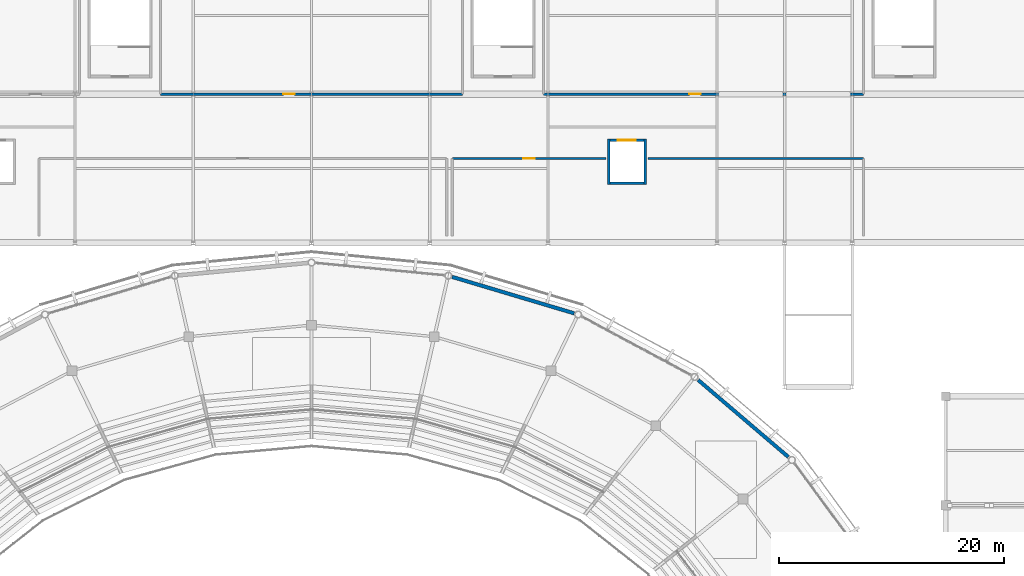
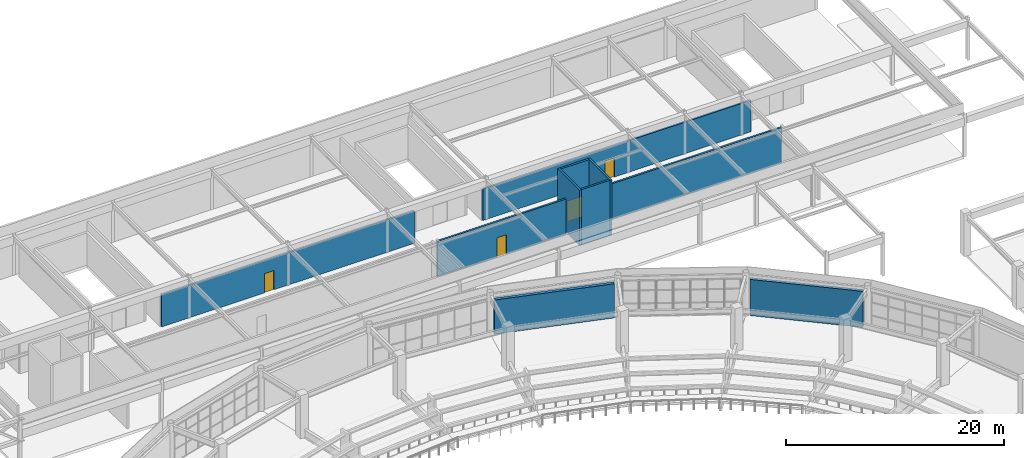
# One storey, part 102 of 122: 10 walls, 4 doors, 4 openings.
"""IFC4 building model written with IfcOpenShell, lengths in metres."""

import ifcopenshell
import ifcopenshell.guid

model = None  # the IFC model being written
_history = None  # IfcOwnerHistory: only IFC2X3 demands one
_inside = {}  # id of a spatial element -> (the spatial element, [elements in it])
_under = {}  # id of a project, library or spatial element -> (it, [spatial elements below it])
_declared = {}  # id of a project -> (the project, [libraries it declares])
_typed = {}  # id of a type object -> (the type object, [elements of that type])
_made_of = {}  # id of a material, layer set ... -> (it, [elements and type objects made of it])


def new_model(schema):
    """Start an empty IFC model of exactly this schema.

    Asked for "IFC4X3", IfcOpenShell would pick the latest addendum, in which some entities
    have other attributes; the version numbers below select the first issue.
    IFC2X3 requires an IfcOwnerHistory on every rooted entity: one is made here for all.
    """
    global model, _history
    if schema == "IFC4X3":
        model = ifcopenshell.file(schema_version=(4, 3, 0, 0))
    else:
        model = ifcopenshell.file(schema=schema)
    _inside.clear()
    _under.clear()
    _declared.clear()
    _typed.clear()
    _made_of.clear()
    _history = None
    if model.schema == "IFC2X3":
        org = make("IfcOrganization", Name="unknown")
        user = make(
            "IfcPersonAndOrganization",
            ThePerson=make("IfcPerson", FamilyName="unknown"),
            TheOrganization=org,
        )
        app = make(
            "IfcApplication",
            ApplicationDeveloper=org,
            Version="unknown",
            ApplicationFullName="unknown",
            ApplicationIdentifier="unknown",
        )
        _history = make(
            "IfcOwnerHistory",
            OwningUser=user,
            OwningApplication=app,
            ChangeAction="ADDED",
            CreationDate=0,
        )
    return model


def make(cls, **values):
    """One entity of the class cls with the attributes given. An attribute that is None is left unset."""
    return model.create_entity(
        cls, **{name: value for name, value in values.items() if value is not None}
    )


def rooted(cls, **values):
    """An entity with a GlobalId (a new one), such as an element, a storey or a relation."""
    return make(cls, GlobalId=ifcopenshell.guid.new(), OwnerHistory=_history, **values)


def si_unit(unit_type, name, prefix=None):
    """IfcSIUnit, for example si_unit("LENGTHUNIT", "METRE", prefix="MILLI")."""
    return make("IfcSIUnit", UnitType=unit_type, Prefix=prefix, Name=name)


def assignment(units):
    """IfcUnitAssignment: the units of a project."""
    return None if units is None else make("IfcUnitAssignment", Units=units)


def point(xyz):
    """IfcCartesianPoint."""
    return None if xyz is None else make("IfcCartesianPoint", Coordinates=xyz)


def direction(xyz):
    """IfcDirection."""
    return None if xyz is None else make("IfcDirection", DirectionRatios=xyz)


def frame(location, z_axis=None, x_axis=None):
    """IfcAxis2Placement3D, a coordinate frame: its origin and axes. An axis left out is left unset."""
    return make(
        "IfcAxis2Placement3D",
        Location=point(location),
        Axis=direction(z_axis),
        RefDirection=direction(x_axis),
    )


def frame_2d(location, x_axis=None):
    """IfcAxis2Placement2D, a coordinate frame in the plane: its origin and x axis."""
    return make(
        "IfcAxis2Placement2D", Location=point(location), RefDirection=direction(x_axis)
    )


def origin():
    """The frame at (0, 0, 0) with its axes left unset."""
    return frame((0.0, 0.0, 0.0))


def place(relative_to, where):
    """IfcLocalPlacement: puts the frame where relative to a parent placement (None: the world)."""
    return make(
        "IfcLocalPlacement", PlacementRelTo=relative_to, RelativePlacement=where
    )


def context(
    kind, dimensions, precision=None, world=None, true_north=None, identifier=None
):
    """IfcGeometricRepresentationContext, for example the 3D "Model" context."""
    return make(
        "IfcGeometricRepresentationContext",
        ContextIdentifier=identifier,
        ContextType=kind,
        CoordinateSpaceDimension=dimensions,
        Precision=precision,
        WorldCoordinateSystem=world,
        TrueNorth=true_north,
    )


def subcontext(parent, identifier, kind, view, scale=None):
    """IfcGeometricRepresentationSubContext, for example "Body" below "Model"."""
    return make(
        "IfcGeometricRepresentationSubContext",
        ContextIdentifier=identifier,
        ContextType=kind,
        ParentContext=parent,
        TargetScale=scale,
        TargetView=view,
    )


def project(units=None, contexts=None):
    """IfcProject with its units and contexts."""
    return rooted(
        "IfcProject",
        Name="project",
        RepresentationContexts=contexts,
        UnitsInContext=assignment(units),
    )


def spatial(cls, under=None, at=None, **own):
    """A site, building, storey or space (cls), placed at a placement, below another one or the project."""
    s = rooted(cls, ObjectPlacement=at, **own)
    if under is not None:
        _under.setdefault(under.id(), (under, []))[1].append(s)
    return s


def profile(cls, at=None, kind="AREA", **sizes):
    """A parametric profile (cls). Its sizes go by their IFC names, for example OverallWidth=200.0."""
    return make(cls, ProfileType=kind, Position=at, **sizes)


def rectangle(**sizes):
    """IfcRectangleProfileDef."""
    return profile("IfcRectangleProfileDef", **sizes)


def extrude(swept, where, along, depth):
    """IfcExtrudedAreaSolid: the profile swept, set in the frame where, extruded along a direction by depth."""
    return make(
        "IfcExtrudedAreaSolid",
        SweptArea=swept,
        Position=where,
        ExtrudedDirection=direction(along),
        Depth=depth,
    )


def shape(context_of_items, identifier, shape_type, items):
    """IfcShapeRepresentation: the items that make up one representation, for example the "Body"."""
    return make(
        "IfcShapeRepresentation",
        ContextOfItems=context_of_items,
        RepresentationIdentifier=identifier,
        RepresentationType=shape_type,
        Items=items,
    )


def material(Name=None, Category=None):
    """IfcMaterial."""
    return make("IfcMaterial", Name=Name, Category=Category)


def layer(
    of_material, thickness, ventilated=None, Name=None, Category=None, Priority=None
):
    """IfcMaterialLayer: one layer of a wall or slab, of a material (None: an air gap)."""
    return make(
        "IfcMaterialLayer",
        Material=of_material,
        LayerThickness=thickness,
        IsVentilated=ventilated,
        Name=Name,
        Category=Category,
        Priority=Priority,
    )


def layer_set(layers, Name=None):
    """IfcMaterialLayerSet."""
    return make("IfcMaterialLayerSet", MaterialLayers=layers, LayerSetName=Name)


def made_of(thing, what):
    """Note that an element or type object is made of a material, layer set ...; save() writes the relation."""
    if what is not None:
        _made_of.setdefault(what.id(), (what, []))[1].append(thing)
    return thing


def type_object(cls, material=None, **own):
    """A type object (cls), such as IfcWallType, which elements share."""
    return made_of(rooted(cls, **own), material)


def element(
    cls,
    number,
    at=None,
    inside=None,
    cuts=None,
    type_object=None,
    material=None,
    context=None,
    identifier="Body",
    shape_type=None,
    held_by="IfcProductDefinitionShape",
    body=None,
    shapes=None,
    **own,
):
    """One element of the class cls, such as IfcWall. Its Tag is "e" and its number.

    at: its placement. inside: the storey or other place that contains it. cuts: it is an
    opening in that element (IfcRelVoidsElement). A single representation is given by context,
    identifier, shape_type and body (its items); several are given by shapes. held_by: the class
    of the entity that holds the representations. save() writes the other relations.
    """
    e = rooted(cls, Tag="e%d" % number, ObjectPlacement=at, **own)
    if body is not None:
        shapes = [shape(context, identifier, shape_type, body)]
    if shapes is not None:
        e.Representation = make(held_by, Representations=shapes)
    if inside is not None:
        _inside.setdefault(inside.id(), (inside, []))[1].append(e)
    if cuts is not None:
        rooted(
            "IfcRelVoidsElement", RelatingBuildingElement=cuts, RelatedOpeningElement=e
        )
    if type_object is not None:
        _typed.setdefault(type_object.id(), (type_object, []))[1].append(e)
    return made_of(e, material)


def fill(opening, filler):
    """IfcRelFillsElement: the door or window that sits in an opening."""
    return rooted(
        "IfcRelFillsElement",
        RelatingOpeningElement=opening,
        RelatedBuildingElement=filler,
    )


def aggregate(whole, parts):
    """IfcRelAggregates: a whole, such as a stair, and the parts it consists of."""
    return rooted("IfcRelAggregates", RelatingObject=whole, RelatedObjects=parts)


def save(model, path):
    """Write the relations noted so far, then the file.

    IfcRelAggregates (storeys below a building ...), IfcRelContainedInSpatialStructure (elements
    in a storey), IfcRelDefinesByType, IfcRelAssociatesMaterial and IfcRelDeclares: one each for
    every whole, place, type object, material and project.
    """
    for whole, parts in _under.values():
        aggregate(whole, parts)
    for where, things in _inside.values():
        rooted(
            "IfcRelContainedInSpatialStructure",
            RelatedElements=things,
            RelatingStructure=where,
        )
    for kind, things in _typed.values():
        rooted("IfcRelDefinesByType", RelatedObjects=things, RelatingType=kind)
    for what, things in _made_of.values():
        rooted("IfcRelAssociatesMaterial", RelatedObjects=things, RelatingMaterial=what)
    for by, libraries in _declared.values():
        rooted("IfcRelDeclares", RelatingContext=by, RelatedDefinitions=libraries)
    model.write(path)


model = new_model("IFC4")

# Units and contexts
model_context = context("Model", 3, precision=1e-05, world=origin(), true_north=direction((0.0, 1.0)))
body_context = subcontext(model_context, "Body", "Model", "MODEL_VIEW")
ifc_project = project(units=[si_unit("LENGTHUNIT", "METRE"), si_unit("AREAUNIT", "SQUARE_METRE"), si_unit("VOLUMEUNIT", "CUBIC_METRE"), si_unit("PLANEANGLEUNIT", "RADIAN"), si_unit("MASSUNIT", "GRAM", prefix="KILO")], contexts=[model_context])

# Site, building, storey
site_placement = place(None, origin())
site = spatial("IfcSite", under=ifc_project, at=site_placement, CompositionType="ELEMENT")
building_placement = place(site_placement, origin())
building = spatial("IfcBuilding", under=site, at=building_placement, Name="Cuetzalor Civic Arena", CompositionType="ELEMENT")
storey_placement = place(building_placement, frame((0.0, 0.0, 16.199951171875)))
storey = spatial("IfcBuildingStorey", under=building, at=storey_placement, Name="L03", CompositionType="ELEMENT", Elevation=16.199951171875)

# Wall, opening, door
ifc_material_1 = material(Name="Fire-rated masonry and gypsum partition", Category="masonry")
ifc_layer_1 = layer(ifc_material_1, 0.199951171875)
ifc_layer_set_1 = layer_set([ifc_layer_1], Name="Fire-rated masonry and gypsum partition")
wall_type_1 = type_object("IfcWallType", Name="FireCompartmentWall_200", PredefinedType="PARTITIONING", material=ifc_layer_set_1)
wall_1_placement = place(storey_placement, frame((13.39990234375, 61.5, 0.0), z_axis=(0.0, 0.0, 1.0), x_axis=(-1.0, 0.0, 0.0)))
wall_1 = element("IfcWall", 1, at=wall_1_placement, inside=storey, type_object=wall_type_1, Name="Interior Partition IWALL:L03:0492", PredefinedType="PARTITIONING", context=body_context, shape_type="SweptSolid", body=[
    extrude(rectangle(XDim=26.7998046875, YDim=0.199951171875, at=frame_2d((13.39990234375, 0.0))), origin(), (0.0, 0.0, 1.0), 3.625),
])
opening_1_placement = place(wall_1_placement, frame((14.89990234375, 0.0, 0.0)))
opening_1 = element("IfcOpeningElement", 2, at=opening_1_placement, cuts=wall_1, Name="Opening FD-01", PredefinedType="OPENING", context=body_context, shape_type="SweptSolid", body=[
    extrude(rectangle(XDim=1.0, YDim=2.14990234375, at=frame_2d((0.5, 1.074951171875))), frame((0.0, 0.10986328125, 0.0), z_axis=(0.0, -1.0, 0.0), x_axis=(1.0, 0.0, 0.0)), (0.0, 0.0, 1.0), 0.219970703125),
])
ifc_material_2 = material(Name="Fire-rated insulated steel door", Category="steel")
door_type_1 = type_object("IfcDoorType", Name="FireSingleDoor_1000x2150", OperationType="NOTDEFINED", PredefinedType="DOOR", material=ifc_material_2)
door_1_placement = place(opening_1_placement, origin())
door_1 = element("IfcDoor", 3, at=door_1_placement, inside=storey, type_object=door_type_1, Name="Door to AHU Plant Room Bowl Exhaust L03", OperationType="SINGLE_SWING_RIGHT", OverallHeight=2.14990234375, OverallWidth=1.0, PredefinedType="DOOR", context=body_context, shape_type="SweptSolid", body=[
    extrude(rectangle(XDim=1.0, YDim=2.14990234375, at=frame_2d((0.5, 1.074951171875))), frame((0.0, 0.02490234375, 0.0), z_axis=(0.0, -1.0, 0.0), x_axis=(1.0, 0.0, 0.0)), (0.0, 0.0, 1.0), 0.050048828125),
])
fill(opening_1, door_1)

wall_2_placement = place(storey_placement, frame((49.0, 61.5, 0.0), z_axis=(0.0, 0.0, 1.0), x_axis=(-1.0, 0.0, 0.0)))
wall_2 = element("IfcWall", 4, at=wall_2_placement, inside=storey, type_object=wall_type_1, Name="Interior Partition IWALL:L03:0495", PredefinedType="PARTITIONING", context=body_context, shape_type="SweptSolid", body=[
    extrude(rectangle(XDim=28.39990234375, YDim=0.199951171875, at=frame_2d((14.199951171875, 0.0))), origin(), (0.0, 0.0, 1.0), 3.525146484375),
])
opening_2_placement = place(wall_2_placement, frame((14.449951171875, 0.0, 0.0)))
opening_2 = element("IfcOpeningElement", 5, at=opening_2_placement, cuts=wall_2, Name="Opening FD-01", PredefinedType="OPENING", context=body_context, shape_type="SweptSolid", body=[
    extrude(rectangle(XDim=1.0, YDim=2.14990234375, at=frame_2d((0.5, 1.074951171875))), frame((0.0, 0.10986328125, 0.0), z_axis=(0.0, -1.0, 0.0), x_axis=(1.0, 0.0, 0.0)), (0.0, 0.0, 1.0), 0.219970703125),
])
door_2_placement = place(opening_2_placement, origin())
door_2 = element("IfcDoor", 6, at=door_2_placement, inside=storey, type_object=door_type_1, Name="Door to Dimmer and Audio Rack Plant L03", OperationType="SINGLE_SWING_LEFT", OverallHeight=2.14990234375, OverallWidth=1.0, PredefinedType="DOOR", context=body_context, shape_type="SweptSolid", body=[
    extrude(rectangle(XDim=1.0, YDim=2.14990234375, at=frame_2d((0.5, 1.074951171875))), frame((0.0, 0.02490234375, 0.0), z_axis=(0.0, -1.0, 0.0), x_axis=(1.0, 0.0, 0.0)), (0.0, 0.0, 1.0), 0.050048828125),
])
fill(opening_2, door_2)

wall_3_placement = place(storey_placement, frame((12.5, 55.800048828125, 0.0), z_axis=(0.0, 0.0, 1.0), x_axis=(1.0, 0.0, 0.0)))
wall_3 = element("IfcWall", 7, at=wall_3_placement, inside=storey, type_object=wall_type_1, Name="Interior Partition IWALL:L03:0501", PredefinedType="PARTITIONING", context=body_context, shape_type="SweptSolid", body=[
    extrude(rectangle(XDim=13.6298828125, YDim=0.199951171875, at=frame_2d((6.81494140625, 0.0))), origin(), (0.0, 0.0, 1.0), 3.942138671875),
])
opening_3_placement = place(wall_3_placement, frame((6.31494140625, 0.0, 0.0)))
opening_3 = element("IfcOpeningElement", 8, at=opening_3_placement, cuts=wall_3, Name="Opening FD-01", PredefinedType="OPENING", context=body_context, shape_type="SweptSolid", body=[
    extrude(rectangle(XDim=1.0, YDim=2.14990234375, at=frame_2d((0.5, 1.074951171875))), frame((0.0, 0.10986328125, 0.0), z_axis=(0.0, -1.0, 0.0), x_axis=(1.0, 0.0, 0.0)), (0.0, 0.0, 1.0), 0.219970703125),
])
door_3_placement = place(opening_3_placement, origin())
door_3 = element("IfcDoor", 9, at=door_3_placement, inside=storey, type_object=door_type_1, Name="Door to Rigging Winch Maintenance Store L03", OperationType="SINGLE_SWING_LEFT", OverallHeight=2.14990234375, OverallWidth=1.0, PredefinedType="DOOR", context=body_context, shape_type="SweptSolid", body=[
    extrude(rectangle(XDim=1.0, YDim=2.14990234375, at=frame_2d((0.5, 1.074951171875))), frame((0.0, 0.02490234375, 0.0), z_axis=(0.0, -1.0, 0.0), x_axis=(1.0, 0.0, 0.0)), (0.0, 0.0, 1.0), 0.050048828125),
])
fill(opening_3, door_3)

# Walls
wall_4_placement = place(storey_placement, frame((29.8701171875, 55.800048828125, 0.0), z_axis=(0.0, 0.0, 1.0), x_axis=(1.0, 0.0, 0.0)))
element("IfcWall", 10, at=wall_4_placement, inside=storey, type_object=wall_type_1, Name="Interior Partition IWALL:L03:0502", PredefinedType="PARTITIONING", context=body_context, shape_type="SweptSolid", body=[
    extrude(rectangle(XDim=19.1298828125, YDim=0.199951171875, at=frame_2d((9.56494140625, 0.0))), origin(), (0.0, 0.0, 1.0), 3.942138671875),
])
ifc_material_3 = material(Name="Precast concrete C40/50 insulated cladding", Category="concrete")
ifc_layer_2 = layer(ifc_material_3, 0.320068359375)
ifc_layer_set_2 = layer_set([ifc_layer_2], Name="Precast concrete C40/50 insulated cladding")
wall_type_2 = type_object("IfcWallType", Name="InsulatedPrecastWall_320", PredefinedType="SOLIDWALL", material=ifc_layer_set_2)
wall_5_placement = place(storey_placement, frame((34.32470703125, 36.126953125, 0.0), z_axis=(0.0, 0.0, 1.0), x_axis=(0.760681761173, -0.649124994296, 0.0)))
element("IfcWall", 11, at=wall_5_placement, inside=storey, type_object=wall_type_2, Name="Drum Acoustic Backing Wall L03-043", PredefinedType="SOLIDWALL", context=body_context, shape_type="SweptSolid", body=[
    extrude(rectangle(XDim=10.531005859375, YDim=0.320068359375, at=frame_2d((5.265625, 0.0))), origin(), (0.0, 0.0, 1.0), 4.052978515625),
])
wall_6_placement = place(storey_placement, frame((12.48486328125, 45.279541015625, 0.0), z_axis=(0.0, 0.0, 1.0), x_axis=(0.958192076012, -0.286125751144, 0.0)))
element("IfcWall", 12, at=wall_6_placement, inside=storey, type_object=wall_type_2, Name="Drum Acoustic Backing Wall L03-044", PredefinedType="SOLIDWALL", context=body_context, shape_type="SweptSolid", body=[
    extrude(rectangle(XDim=11.31005859375, YDim=0.320068359375, at=frame_2d((5.655029296875, 0.0))), origin(), (0.0, 0.0, 1.0), 3.83203125),
])
ifc_material_4 = material(Name="Concrete C40/50", Category="concrete")
ifc_layer_3 = layer(ifc_material_4, 0.219970703125)
ifc_layer_set_3 = layer_set([ifc_layer_3], Name="Concrete C40/50")
wall_type_3 = type_object("IfcWallType", Name="LiftShaftShearWall_220", PredefinedType="SHEAR", material=ifc_layer_set_3)
wall_7_placement = place(storey_placement, frame((26.389892578125, 53.47998046875, 0.0), z_axis=(0.0, 0.0, 1.0), x_axis=(0.0, 1.0, 0.0)))
element("IfcWall", 13, at=wall_7_placement, inside=storey, type_object=wall_type_3, Name="Lift Shaft Wall LS-02-L03-W", PredefinedType="SHEAR", context=body_context, shape_type="SweptSolid", body=[
    extrude(rectangle(XDim=4.0400390625, YDim=0.219970703125, at=frame_2d((2.02001953125, 0.0))), origin(), (0.0, 0.0, 1.0), 6.199951171875),
])

# Wall, opening, door
wall_8_placement = place(storey_placement, frame((26.5, 57.409912109375, 0.0), z_axis=(0.0, 0.0, 1.0), x_axis=(1.0, 0.0, 0.0)))
wall_8 = element("IfcWall", 14, at=wall_8_placement, inside=storey, type_object=wall_type_3, Name="Lift Shaft Wall LS-02-L03-N", PredefinedType="SHEAR", context=body_context, shape_type="SweptSolid", body=[
    extrude(rectangle(XDim=3.0, YDim=0.219970703125, at=frame_2d((1.5, 0.0))), origin(), (0.0, 0.0, 1.0), 6.199951171875),
])
opening_4_placement = place(wall_8_placement, frame((0.699951171875, 0.0, 0.0)))
opening_4 = element("IfcOpeningElement", 15, at=opening_4_placement, cuts=wall_8, Name="Opening LD-03", PredefinedType="OPENING", context=body_context, shape_type="SweptSolid", body=[
    extrude(rectangle(XDim=1.60009765625, YDim=2.300048828125, at=frame_2d((0.800048828125, 1.14990234375))), frame((0.0, 0.1201171875, 0.0), z_axis=(0.0, -1.0, 0.0), x_axis=(1.0, 0.0, 0.0)), (0.0, 0.0, 1.0), 0.239990234375),
])
ifc_material_5 = material(Name="Heavy freight stainless steel sliding lift landing door", Category="steel")
door_type_2 = type_object("IfcDoorType", Name="LiftLandingSlidingDoor_1600x2300", OperationType="SLIDING_TO_LEFT", PredefinedType="DOOR", material=ifc_material_5)
door_4_placement = place(opening_4_placement, origin())
door_4 = element("IfcDoor", 16, at=door_4_placement, inside=storey, type_object=door_type_2, Name="Lift Landing Sliding Door LS-02 L03", OperationType="SLIDING_TO_LEFT", OverallHeight=2.300048828125, OverallWidth=1.60009765625, PredefinedType="DOOR", context=body_context, shape_type="SweptSolid", body=[
    extrude(rectangle(XDim=1.60009765625, YDim=2.300048828125, at=frame_2d((0.800048828125, 1.14990234375))), frame((0.0, 0.02490234375, 0.0), z_axis=(0.0, -1.0, 0.0), x_axis=(1.0, 0.0, 0.0)), (0.0, 0.0, 1.0), 0.050048828125),
])
fill(opening_4, door_4)

# Walls
wall_9_placement = place(storey_placement, frame((29.610107421875, 57.52001953125, 0.0), z_axis=(0.0, 0.0, 1.0), x_axis=(0.0, -1.0, 0.0)))
element("IfcWall", 17, at=wall_9_placement, inside=storey, type_object=wall_type_3, Name="Lift Shaft Wall LS-02-L03-E", PredefinedType="SHEAR", context=body_context, shape_type="SweptSolid", body=[
    extrude(rectangle(XDim=4.0400390625, YDim=0.219970703125, at=frame_2d((2.02001953125, 0.0))), origin(), (0.0, 0.0, 1.0), 6.199951171875),
])
wall_10_placement = place(storey_placement, frame((29.5, 53.590087890625, 0.0), z_axis=(0.0, 0.0, 1.0), x_axis=(-1.0, 0.0, 0.0)))
element("IfcWall", 18, at=wall_10_placement, inside=storey, type_object=wall_type_3, Name="Lift Shaft Wall LS-02-L03-S", PredefinedType="SHEAR", context=body_context, shape_type="SweptSolid", body=[
    extrude(rectangle(XDim=3.0, YDim=0.219970703125, at=frame_2d((1.5, 0.0))), origin(), (0.0, 0.0, 1.0), 6.199951171875),
])

save(model, "model.ifc")
